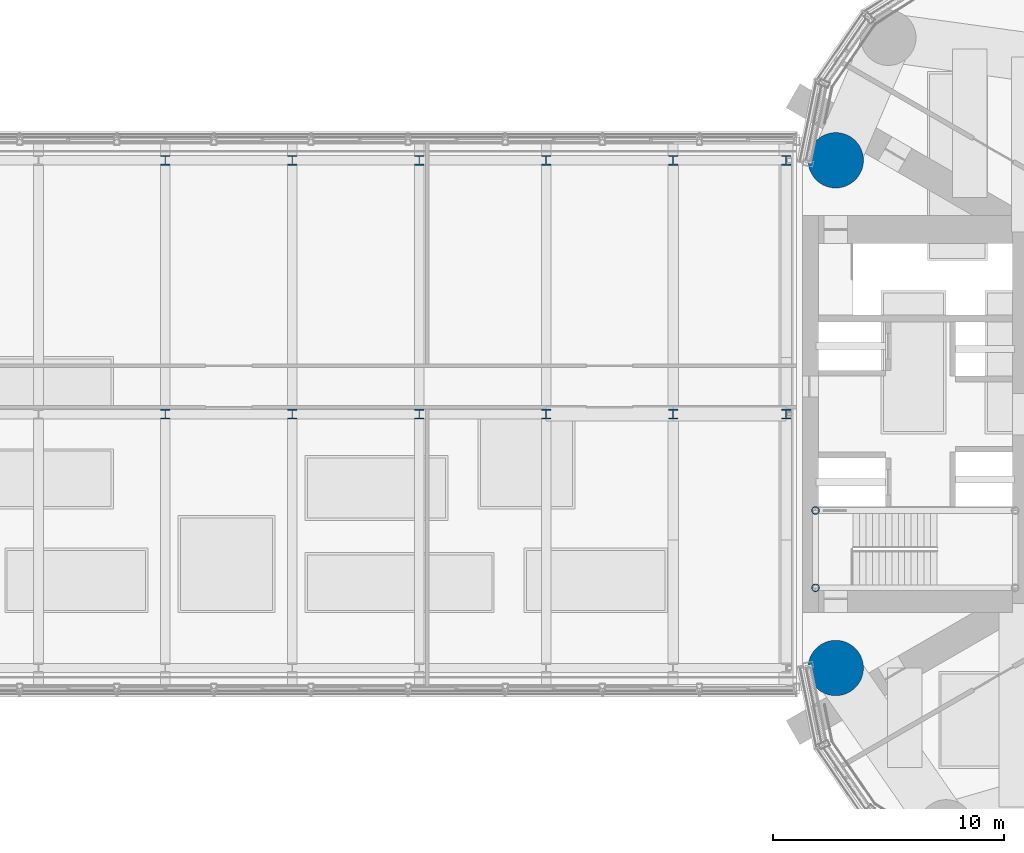
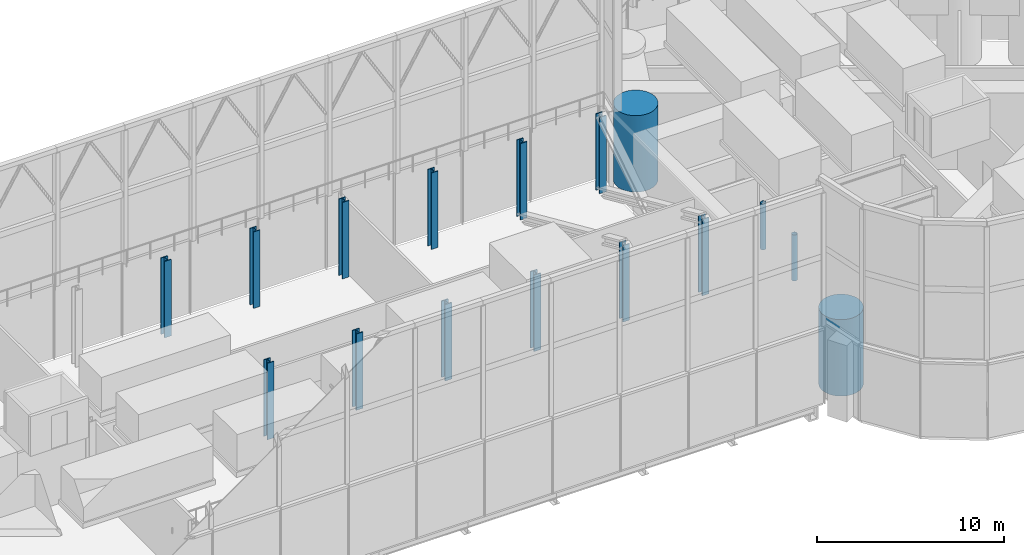
# One storey, part 4 of 33: 16 columns.
"""IFC4 building model written with IfcOpenShell, lengths in metres."""

from ifc_helpers import new_model, si_unit, direction, frame, origin, origin_2d, place, context, subcontext, project, spatial, circle, hollow_circle, i_section, extrude, material, material_profile, profile_set, type_object, element, save


model = new_model("IFC4")

# Units and contexts
model_context = context("Model", 3, precision=1e-05, world=origin(), true_north=direction((0.0, 1.0)))
body_context = subcontext(model_context, "Body", "Model", "MODEL_VIEW")
ifc_project = project(units=[si_unit("LENGTHUNIT", "METRE"), si_unit("AREAUNIT", "SQUARE_METRE"), si_unit("VOLUMEUNIT", "CUBIC_METRE"), si_unit("PLANEANGLEUNIT", "RADIAN"), si_unit("MASSUNIT", "GRAM", prefix="KILO")], contexts=[model_context])

# Site, building, storey
site_placement = place(None, origin())
site = spatial("IfcSite", under=ifc_project, at=site_placement, CompositionType="ELEMENT")
building_placement = place(site_placement, origin())
building = spatial("IfcBuilding", under=site, at=building_placement, Name="Lancet Gate Hotel", CompositionType="ELEMENT")
storey_placement = place(building_placement, frame((0.0, 0.0, 268.300048828125)))
storey = spatial("IfcBuildingStorey", under=building, at=storey_placement, Name="L70", CompositionType="ELEMENT", Elevation=268.300048828125)

# Columns
ifc_material_1 = material(Name="Steel S355", Category="steel")
ifc_material_profile_1 = material_profile(ifc_material_1, i_section(OverallWidth=0.412109375, OverallDepth=0.4365234375, WebThickness=0.035888671875, FlangeThickness=0.05810546875, FilletRadius=0.01513671875, at=origin_2d()), Name="UKC 356x406x467")
ifc_profile_set_1 = profile_set([ifc_material_profile_1], Name="Steel S355")
column_type_1 = type_object("IfcColumnType", Name="Block column UKC 356x406x467", PredefinedType="COLUMN", material=ifc_profile_set_1)
for number, where, z_axis, x_axis, name in (
    (1, (0.0, 0.0, 0.0), (0.0, 0.0, 1.0), (1.0, 0.0, 0.0), "Block column M5 L70"),
    (2, (5.5, 0.0, 0.0), (0.0, 0.0, 1.0), (1.0, 0.0, 0.0), "Block column M6 L70"),
    (3, (11.0, 0.0, 0.0), (0.0, 0.0, 1.0), (1.0, 0.0, 0.0), "Block column M7 L70"),
    (4, (16.5, 0.0, 0.0), (0.0, 0.0, 1.0), (1.0, 0.0, 0.0), "Block column M8 L70"),
    (5, (22.0, 0.0, 0.0), (0.0, 0.0, 1.0), (1.0, 0.0, 0.0), "Block column M9 L70"),
    (6, (26.89990234375, 0.0, 0.0), (0.0, 0.0, 1.0), (1.0, 0.0, 0.0), "Block column M10 L70"),
    (7, (0.0, 11.0, 0.0), (0.0, 0.0, 1.0), (1.0, 0.0, 0.0), "Block column N5 L70"),
    (8, (5.5, 11.0, 0.0), (0.0, 0.0, 1.0), (1.0, 0.0, 0.0), "Block column N6 L70"),
    (9, (11.0, 11.0, 0.0), (0.0, 0.0, 1.0), (1.0, 0.0, 0.0), "Block column N7 L70"),
    (10, (16.5, 11.0, 0.0), (0.0, 0.0, 1.0), (1.0, 0.0, 0.0), "Block column N8 L70"),
    (11, (22.0, 11.0, 0.0), (0.0, 0.0, 1.0), (1.0, 0.0, 0.0), "Block column N9 L70"),
    (12, (26.89990234375, 11.0, 0.0), (0.0, 0.0, 1.0), (1.0, 0.0, 0.0), "Block column N10 L70"),
):
    element("IfcColumn", number, at=place(storey_placement, frame(where, z_axis=z_axis, x_axis=x_axis)), inside=storey, type_object=column_type_1, Name=name, PredefinedType="COLUMN", context=body_context, shape_type="SweptSolid", body=[
        extrude(i_section(OverallWidth=0.412109375, OverallDepth=0.4365234375, WebThickness=0.035888671875, FlangeThickness=0.05810546875, FilletRadius=0.01513671875, at=origin_2d()), origin(), (0.0, 0.0, 1.0), 5.0),
    ])
ifc_material_2 = material(Name="Steel S355", Category="steel")
ifc_material_profile_2 = material_profile(ifc_material_2, hollow_circle(Radius=0.161865234375, WallThickness=0.012451171875, at=origin_2d()), Name="CHS 323.9x12.5")
ifc_profile_set_2 = profile_set([ifc_material_profile_2], Name="Steel S355")
column_type_2 = type_object("IfcColumnType", Name="Head-house column CHS 323.9x12.5", PredefinedType="COLUMN", material=ifc_profile_set_2)
for number, where, z_axis, x_axis, name in (
    (13, (28.175048828125, -7.52490234375, 5.0), (0.0, 0.0, 1.0), (1.0, 0.0, 0.0), "T2 head-house column FO"),
    (14, (28.175048828125, -4.175048828125, 5.0), (0.0, 0.0, 1.0), (1.0, 0.0, 0.0), "T2 head-house column FI"),
):
    element("IfcColumn", number, at=place(storey_placement, frame(where, z_axis=z_axis, x_axis=x_axis)), inside=storey, type_object=column_type_2, Name=name, PredefinedType="COLUMN", context=body_context, shape_type="SweptSolid", body=[
        extrude(hollow_circle(Radius=0.161865234375, WallThickness=0.012451171875, at=origin_2d()), origin(), (0.0, 0.0, 1.0), 3.0),
    ])
ifc_material_3 = material(Name="Concrete C50/60", Category="concrete")
ifc_material_profile_3 = material_profile(ifc_material_3, circle(Radius=1.199951171875, at=origin_2d()), Name="RC D2400")
ifc_profile_set_3 = profile_set([ifc_material_profile_3], Name="Concrete C50/60")
column_type_3 = type_object("IfcColumnType", Name="Perimeter column RC D2400", PredefinedType="COLUMN", material=ifc_profile_set_3)
for number, where, z_axis, x_axis, name in (
    (15, (29.050048828125, 11.0, 0.0), (0.0, 0.0, 1.0), (1.0, 0.0, 0.0), "T2 column IN L70"),
    (16, (29.050048828125, -11.0, 0.0), (0.0, 0.0, 1.0), (1.0, 0.0, 0.0), "T2 column IS L70"),
):
    element("IfcColumn", number, at=place(storey_placement, frame(where, z_axis=z_axis, x_axis=x_axis)), inside=storey, type_object=column_type_3, Name=name, PredefinedType="COLUMN", context=body_context, shape_type="SweptSolid", body=[
        extrude(circle(Radius=1.199951171875, at=origin_2d()), origin(), (0.0, 0.0, 1.0), 5.0),
    ])

save(model, "model.ifc")
